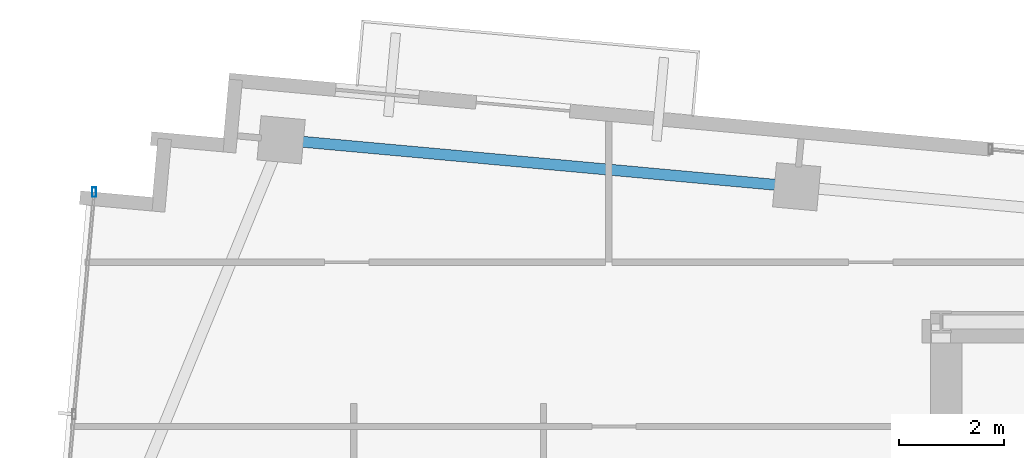
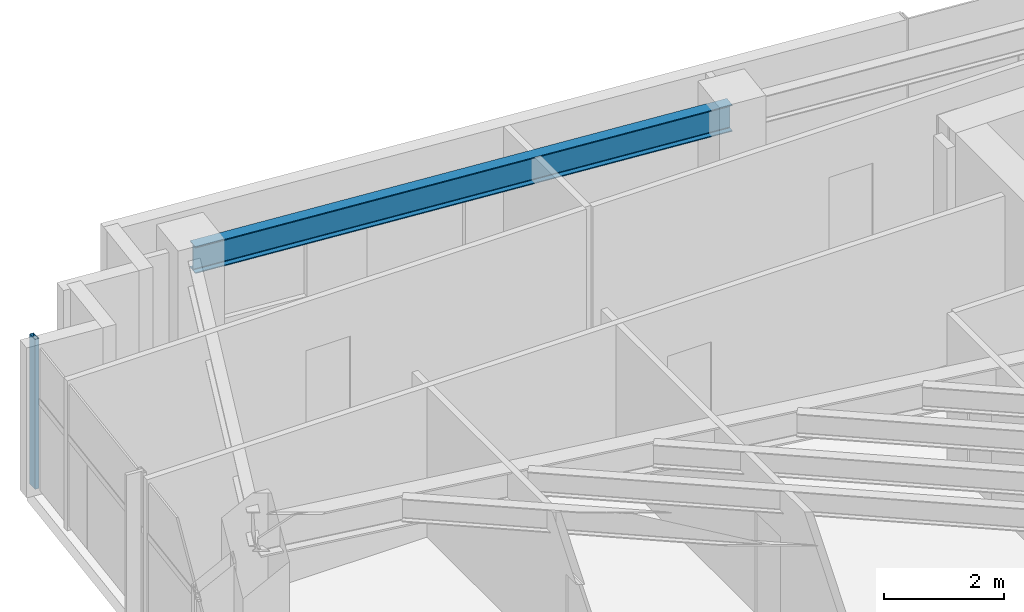
# One storey, part 9 of 22: 1 beam, 1 member, 1 element without a shape of its own.
"""IFC4 building model written with IfcOpenShell, lengths in metres."""

import ifcopenshell
import ifcopenshell.guid

model = None  # the IFC model being written
_history = None  # IfcOwnerHistory: only IFC2X3 demands one
_inside = {}  # id of a spatial element -> (the spatial element, [elements in it])
_under = {}  # id of a project, library or spatial element -> (it, [spatial elements below it])
_declared = {}  # id of a project -> (the project, [libraries it declares])
_typed = {}  # id of a type object -> (the type object, [elements of that type])
_made_of = {}  # id of a material, layer set ... -> (it, [elements and type objects made of it])


def new_model(schema):
    """Start an empty IFC model of exactly this schema.

    Asked for "IFC4X3", IfcOpenShell would pick the latest addendum, in which some entities
    have other attributes; the version numbers below select the first issue.
    IFC2X3 requires an IfcOwnerHistory on every rooted entity: one is made here for all.
    """
    global model, _history
    if schema == "IFC4X3":
        model = ifcopenshell.file(schema_version=(4, 3, 0, 0))
    else:
        model = ifcopenshell.file(schema=schema)
    _inside.clear()
    _under.clear()
    _declared.clear()
    _typed.clear()
    _made_of.clear()
    _history = None
    if model.schema == "IFC2X3":
        org = make("IfcOrganization", Name="unknown")
        user = make(
            "IfcPersonAndOrganization",
            ThePerson=make("IfcPerson", FamilyName="unknown"),
            TheOrganization=org,
        )
        app = make(
            "IfcApplication",
            ApplicationDeveloper=org,
            Version="unknown",
            ApplicationFullName="unknown",
            ApplicationIdentifier="unknown",
        )
        _history = make(
            "IfcOwnerHistory",
            OwningUser=user,
            OwningApplication=app,
            ChangeAction="ADDED",
            CreationDate=0,
        )
    return model


def make(cls, **values):
    """One entity of the class cls with the attributes given. An attribute that is None is left unset."""
    return model.create_entity(
        cls, **{name: value for name, value in values.items() if value is not None}
    )


def rooted(cls, **values):
    """An entity with a GlobalId (a new one), such as an element, a storey or a relation."""
    return make(cls, GlobalId=ifcopenshell.guid.new(), OwnerHistory=_history, **values)


def si_unit(unit_type, name, prefix=None):
    """IfcSIUnit, for example si_unit("LENGTHUNIT", "METRE", prefix="MILLI")."""
    return make("IfcSIUnit", UnitType=unit_type, Prefix=prefix, Name=name)


def assignment(units):
    """IfcUnitAssignment: the units of a project."""
    return None if units is None else make("IfcUnitAssignment", Units=units)


def point(xyz):
    """IfcCartesianPoint."""
    return None if xyz is None else make("IfcCartesianPoint", Coordinates=xyz)


def direction(xyz):
    """IfcDirection."""
    return None if xyz is None else make("IfcDirection", DirectionRatios=xyz)


def frame(location, z_axis=None, x_axis=None):
    """IfcAxis2Placement3D, a coordinate frame: its origin and axes. An axis left out is left unset."""
    return make(
        "IfcAxis2Placement3D",
        Location=point(location),
        Axis=direction(z_axis),
        RefDirection=direction(x_axis),
    )


def frame_2d(location, x_axis=None):
    """IfcAxis2Placement2D, a coordinate frame in the plane: its origin and x axis."""
    return make(
        "IfcAxis2Placement2D", Location=point(location), RefDirection=direction(x_axis)
    )


def origin():
    """The frame at (0, 0, 0) with its axes left unset."""
    return frame((0.0, 0.0, 0.0))


def origin_2d():
    """The frame at (0, 0) in the plane with its x axis left unset."""
    return frame_2d((0.0, 0.0))


def place(relative_to, where):
    """IfcLocalPlacement: puts the frame where relative to a parent placement (None: the world)."""
    return make(
        "IfcLocalPlacement", PlacementRelTo=relative_to, RelativePlacement=where
    )


def context(
    kind, dimensions, precision=None, world=None, true_north=None, identifier=None
):
    """IfcGeometricRepresentationContext, for example the 3D "Model" context."""
    return make(
        "IfcGeometricRepresentationContext",
        ContextIdentifier=identifier,
        ContextType=kind,
        CoordinateSpaceDimension=dimensions,
        Precision=precision,
        WorldCoordinateSystem=world,
        TrueNorth=true_north,
    )


def subcontext(parent, identifier, kind, view, scale=None):
    """IfcGeometricRepresentationSubContext, for example "Body" below "Model"."""
    return make(
        "IfcGeometricRepresentationSubContext",
        ContextIdentifier=identifier,
        ContextType=kind,
        ParentContext=parent,
        TargetScale=scale,
        TargetView=view,
    )


def project(units=None, contexts=None):
    """IfcProject with its units and contexts."""
    return rooted(
        "IfcProject",
        Name="project",
        RepresentationContexts=contexts,
        UnitsInContext=assignment(units),
    )


def spatial(cls, under=None, at=None, **own):
    """A site, building, storey or space (cls), placed at a placement, below another one or the project."""
    s = rooted(cls, ObjectPlacement=at, **own)
    if under is not None:
        _under.setdefault(under.id(), (under, []))[1].append(s)
    return s


def profile(cls, at=None, kind="AREA", **sizes):
    """A parametric profile (cls). Its sizes go by their IFC names, for example OverallWidth=200.0."""
    return make(cls, ProfileType=kind, Position=at, **sizes)


def hollow_rectangle(**sizes):
    """IfcRectangleHollowProfileDef."""
    return profile("IfcRectangleHollowProfileDef", **sizes)


def i_section(**sizes):
    """IfcIShapeProfileDef."""
    return profile("IfcIShapeProfileDef", **sizes)


def extrude(swept, where, along, depth):
    """IfcExtrudedAreaSolid: the profile swept, set in the frame where, extruded along a direction by depth."""
    return make(
        "IfcExtrudedAreaSolid",
        SweptArea=swept,
        Position=where,
        ExtrudedDirection=direction(along),
        Depth=depth,
    )


def shape(context_of_items, identifier, shape_type, items):
    """IfcShapeRepresentation: the items that make up one representation, for example the "Body"."""
    return make(
        "IfcShapeRepresentation",
        ContextOfItems=context_of_items,
        RepresentationIdentifier=identifier,
        RepresentationType=shape_type,
        Items=items,
    )


def source(mapping_origin, context_of_items, identifier, shape_type, items):
    """IfcRepresentationMap: a shape defined once, which mapped items show again and again."""
    return make(
        "IfcRepresentationMap",
        MappingOrigin=mapping_origin,
        MappedRepresentation=shape(context_of_items, identifier, shape_type, items),
    )


def transform(
    local_origin,
    x_axis=None,
    y_axis=None,
    z_axis=None,
    scale=None,
    scale2=None,
    scale3=None,
    uniform=True,
):
    """IfcCartesianTransformationOperator3D, or its non-uniform kind. x_axis, y_axis, z_axis: its Axis1, 2, 3."""
    if uniform:
        return make(
            "IfcCartesianTransformationOperator3D",
            Axis1=direction(x_axis),
            Axis2=direction(y_axis),
            LocalOrigin=point(local_origin),
            Scale=scale,
            Axis3=direction(z_axis),
        )
    return make(
        "IfcCartesianTransformationOperator3DnonUniform",
        Axis1=direction(x_axis),
        Axis2=direction(y_axis),
        LocalOrigin=point(local_origin),
        Scale=scale,
        Axis3=direction(z_axis),
        Scale2=scale2,
        Scale3=scale3,
    )


def mapped(mapping_source, mapping_target):
    """IfcMappedItem: shows the shape of a source again, moved by a transform."""
    return make(
        "IfcMappedItem", MappingSource=mapping_source, MappingTarget=mapping_target
    )


def material(Name=None, Category=None):
    """IfcMaterial."""
    return make("IfcMaterial", Name=Name, Category=Category)


def material_profile(
    of_material, cross_section, Name=None, Category=None, Priority=None
):
    """IfcMaterialProfile: a cross section and its material."""
    return make(
        "IfcMaterialProfile",
        Name=Name,
        Material=of_material,
        Profile=cross_section,
        Priority=Priority,
        Category=Category,
    )


def profile_set(profiles, Name=None, composite=None):
    """IfcMaterialProfileSet."""
    return make(
        "IfcMaterialProfileSet",
        Name=Name,
        MaterialProfiles=profiles,
        CompositeProfile=composite,
    )


def made_of(thing, what):
    """Note that an element or type object is made of a material, layer set ...; save() writes the relation."""
    if what is not None:
        _made_of.setdefault(what.id(), (what, []))[1].append(thing)
    return thing


def type_object(cls, material=None, **own):
    """A type object (cls), such as IfcWallType, which elements share."""
    return made_of(rooted(cls, **own), material)


def type_shapes(of_type, sources):
    """Give a type object the sources (RepresentationMaps) that its elements show as mapped items."""
    of_type.RepresentationMaps = sources


def element(
    cls,
    number,
    at=None,
    inside=None,
    cuts=None,
    type_object=None,
    material=None,
    context=None,
    identifier="Body",
    shape_type=None,
    held_by="IfcProductDefinitionShape",
    body=None,
    shapes=None,
    **own,
):
    """One element of the class cls, such as IfcWall. Its Tag is "e" and its number.

    at: its placement. inside: the storey or other place that contains it. cuts: it is an
    opening in that element (IfcRelVoidsElement). A single representation is given by context,
    identifier, shape_type and body (its items); several are given by shapes. held_by: the class
    of the entity that holds the representations. save() writes the other relations.
    """
    e = rooted(cls, Tag="e%d" % number, ObjectPlacement=at, **own)
    if body is not None:
        shapes = [shape(context, identifier, shape_type, body)]
    if shapes is not None:
        e.Representation = make(held_by, Representations=shapes)
    if inside is not None:
        _inside.setdefault(inside.id(), (inside, []))[1].append(e)
    if cuts is not None:
        rooted(
            "IfcRelVoidsElement", RelatingBuildingElement=cuts, RelatedOpeningElement=e
        )
    if type_object is not None:
        _typed.setdefault(type_object.id(), (type_object, []))[1].append(e)
    return made_of(e, material)


def aggregate(whole, parts):
    """IfcRelAggregates: a whole, such as a stair, and the parts it consists of."""
    return rooted("IfcRelAggregates", RelatingObject=whole, RelatedObjects=parts)


def save(model, path):
    """Write the relations noted so far, then the file.

    IfcRelAggregates (storeys below a building ...), IfcRelContainedInSpatialStructure (elements
    in a storey), IfcRelDefinesByType, IfcRelAssociatesMaterial and IfcRelDeclares: one each for
    every whole, place, type object, material and project.
    """
    for whole, parts in _under.values():
        aggregate(whole, parts)
    for where, things in _inside.values():
        rooted(
            "IfcRelContainedInSpatialStructure",
            RelatedElements=things,
            RelatingStructure=where,
        )
    for kind, things in _typed.values():
        rooted("IfcRelDefinesByType", RelatedObjects=things, RelatingType=kind)
    for what, things in _made_of.values():
        rooted("IfcRelAssociatesMaterial", RelatedObjects=things, RelatingMaterial=what)
    for by, libraries in _declared.values():
        rooted("IfcRelDeclares", RelatingContext=by, RelatedDefinitions=libraries)
    model.write(path)


model = new_model("IFC4")

# Units and contexts
model_context = context("Model", 3, precision=1e-05, world=origin(), true_north=direction((0.0, 1.0)))
body_context = subcontext(model_context, "Body", "Model", "MODEL_VIEW")
ifc_project = project(units=[si_unit("LENGTHUNIT", "METRE"), si_unit("AREAUNIT", "SQUARE_METRE"), si_unit("VOLUMEUNIT", "CUBIC_METRE"), si_unit("PLANEANGLEUNIT", "RADIAN"), si_unit("MASSUNIT", "GRAM", prefix="KILO")], contexts=[model_context])

# Site, building, storey
site_placement = place(None, origin())
site = spatial("IfcSite", under=ifc_project, at=site_placement, CompositionType="ELEMENT")
building_placement = place(site_placement, origin())
building = spatial("IfcBuilding", under=site, at=building_placement, Name="Astriad Promenade Condominiums", CompositionType="ELEMENT")
storey_placement = place(building_placement, frame((0.0, 0.0, 233.10009765625)))
storey = spatial("IfcBuildingStorey", under=building, at=storey_placement, Name="L67", CompositionType="ELEMENT", Elevation=233.10009765625)

# Beam
ifc_material_1 = material(Name="Steel ASTM A992 Grade 50", Category="steel")
ifc_material_profile_1 = material_profile(ifc_material_1, i_section(OverallWidth=0.210693359375, OverallDepth=0.53955078125, WebThickness=0.01171875, FlangeThickness=0.018798828125, FilletRadius=0.0166015625, at=origin_2d()), Name="W21X73")
ifc_profile_set_1 = profile_set([ifc_material_profile_1], Name="Steel ASTM A992 Grade 50")
beam_type = type_object("IfcBeamType", Name="STEEL SPANDREL BEAM W21X73", PredefinedType="SPANDREL", material=ifc_profile_set_1)
shared_shape_1 = source(origin(), body_context, "Body", "SweptSolid", [
    extrude(i_section(OverallWidth=0.210693359375, OverallDepth=0.53955078125, WebThickness=0.01171875, FlangeThickness=0.018798828125, FilletRadius=0.0166015625, at=origin_2d()), origin(), (0.0, 0.0, 1.0), 9.820068359375),
])
type_shapes(beam_type, [shared_shape_1])
beam_placement = place(storey_placement, frame((23.6005859375, 26.589111328125, 2.77001953125), z_axis=(-0.995883214993, 0.090645585088, 0.0), x_axis=(-0.090645585088, -0.995883214993, 0.0)))
element("IfcBeam", 1, at=beam_placement, inside=storey, type_object=beam_type, Name="Perimeter Spandrel Beam SP-N1-L67", PredefinedType="SPANDREL", context=body_context, shape_type="MappedRepresentation", body=[
    mapped(shared_shape_1, transform((0.0, 0.0, 0.0), scale=1.0)),
])

# Curtain wall, member
ifc_material_2 = material(Name="Anodised aluminium Black Dark Glass Unitised", Category="aluminium")
curtain_wall_type = type_object("IfcCurtainWallType", Name="CW-B5-DARK", PredefinedType="USERDEFINED", material=ifc_material_2)
curtain_wall_placement = place(storey_placement, origin())
curtain_wall = element("IfcCurtainWall", 2, at=curtain_wall_placement, inside=storey, type_object=curtain_wall_type, Name="CW-L67-W", ObjectType="UNITISED_CURTAIN_WALL", PredefinedType="USERDEFINED")
ifc_material_3 = material(Name="Anodised aluminium 6063-T6 Black", Category="aluminium")
ifc_material_profile_2 = material_profile(ifc_material_3, hollow_rectangle(XDim=0.074951171875, YDim=0.18505859375, WallThickness=0.00439453125, at=origin_2d()), Name="ALU-MUL-75X185")
ifc_profile_set_2 = profile_set([ifc_material_profile_2], Name="Anodised aluminium 6063-T6 Black")
member_type = type_object("IfcMemberType", Name="MUL-ALU-MUL-75X185", PredefinedType="MULLION", material=ifc_profile_set_2)
shared_shape_2 = source(origin(), body_context, "Body", "SweptSolid", [
    extrude(hollow_rectangle(XDim=0.074951171875, YDim=0.18505859375, WallThickness=0.00439453125, at=origin_2d()), origin(), (0.0, 0.0, 1.0), 3.039794921875),
])
type_shapes(member_type, [shared_shape_2])
member_placement = place(storey_placement, frame((10.205810546875, 26.482666015625, 0.0), z_axis=(0.0, 0.0, 1.0), x_axis=(1.0, 0.0, 0.0)))
member = element("IfcMember", 3, at=member_placement, type_object=member_type, Name="CW-L67-W-MUL-03", PredefinedType="MULLION", context=body_context, shape_type="MappedRepresentation", body=[
    mapped(shared_shape_2, transform((0.0, 0.0, 0.0), scale=1.0)),
])
aggregate(curtain_wall, [member])

save(model, "model.ifc")
